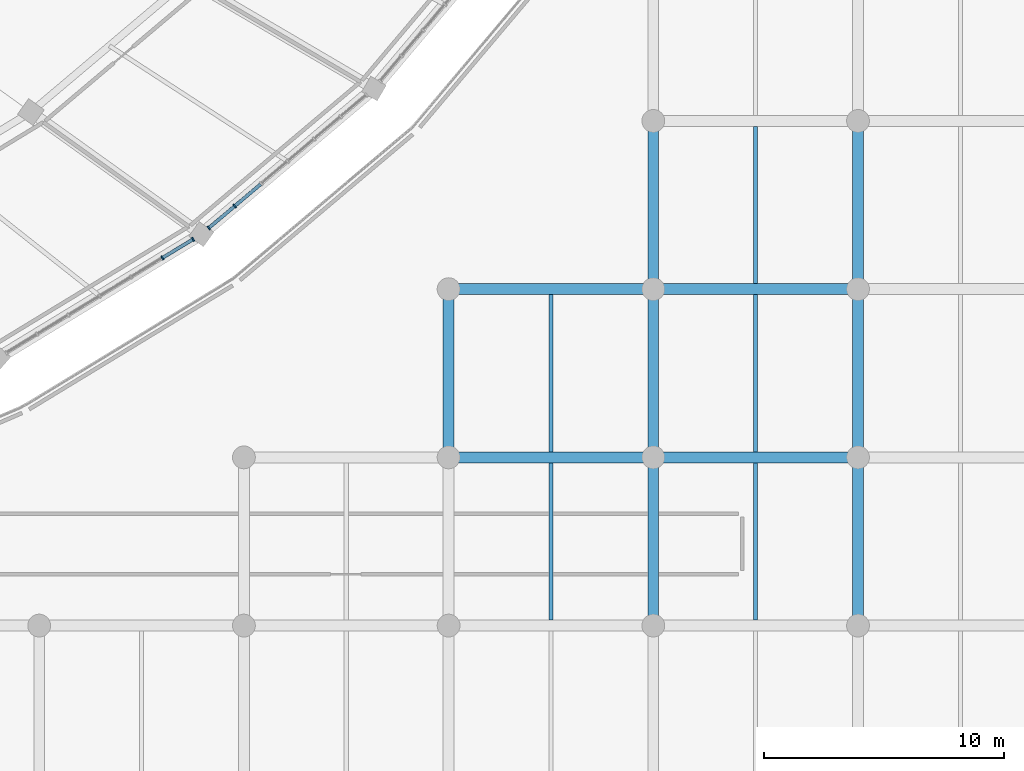
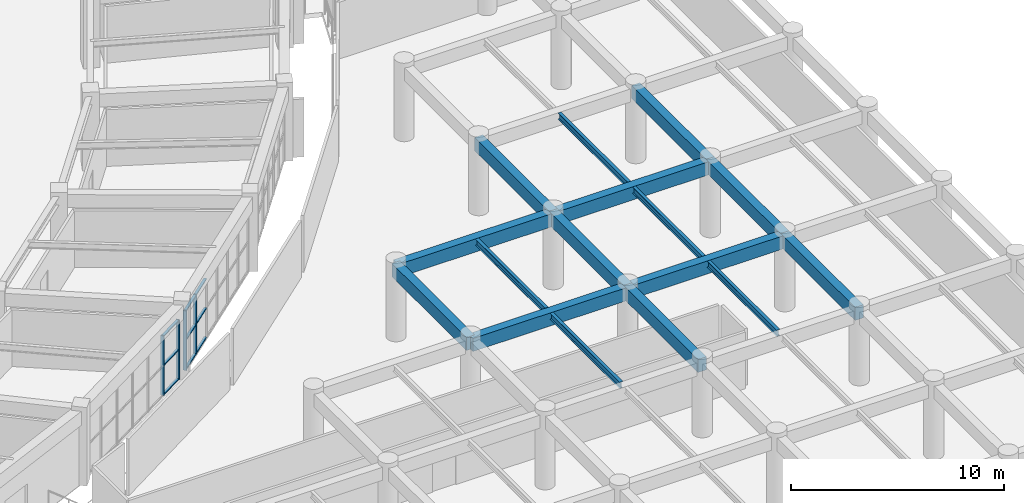
# One storey, part 38 of 141: 16 beams, 13 members, 2 elements without a shape of their own.
"""IFC4 building model written with IfcOpenShell, lengths in metres."""

from ifc_helpers import new_model, si_unit, direction, frame, origin, origin_2d, place, context, subcontext, project, spatial, rectangle, i_section, extrude, material, layer, layer_set, material_profile, profile_set, type_object, element, aggregate, save


model = new_model("IFC4")

# Units and contexts
model_context = context("Model", 3, precision=1e-05, world=origin(), true_north=direction((0.0, 1.0)))
body_context = subcontext(model_context, "Body", "Model", "MODEL_VIEW")
ifc_project = project(units=[si_unit("LENGTHUNIT", "METRE"), si_unit("AREAUNIT", "SQUARE_METRE"), si_unit("VOLUMEUNIT", "CUBIC_METRE"), si_unit("PLANEANGLEUNIT", "RADIAN"), si_unit("MASSUNIT", "GRAM", prefix="KILO")], contexts=[model_context])

# Site, building, storey
site_placement = place(None, origin())
site = spatial("IfcSite", under=ifc_project, at=site_placement, CompositionType="ELEMENT")
building_placement = place(site_placement, origin())
building = spatial("IfcBuilding", under=site, at=building_placement, Name="Mphavela Belvedere Stadium", CompositionType="ELEMENT")
storey_placement = place(building_placement, frame((0.0, 0.0, 14.699951171875)))
storey = spatial("IfcBuildingStorey", under=building, at=storey_placement, Name="L03", CompositionType="ELEMENT", Elevation=14.699951171875)

# Beams
ifc_material_1 = material(Name="Steel S355", Category="steel")
ifc_material_profile_1 = material_profile(ifc_material_1, i_section(OverallWidth=0.169921875, OverallDepth=0.360107421875, WebThickness=0.008056640625, FlangeThickness=0.0126953125, at=origin_2d()), Name="IPE 360")
ifc_profile_set_1 = profile_set([ifc_material_profile_1], Name="Steel S355")
beam_type_1 = type_object("IfcBeamType", Name="BM-JOIST-IPE360", PredefinedType="JOIST", material=ifc_profile_set_1)
for number, where, z_axis, x_axis, name in (
    (1, (208.70361328125, 14.22509765625, 4.06005859375), (0.0, 1.0, 0.0), (-1.0, 0.0, 0.0), "South Axial Triumphal Peristyle Portico secondary joist L03 25-3"),
    (2, (208.70361328125, 21.22509765625, 4.06005859375), (0.0, 1.0, 0.0), (-1.0, 0.0, 0.0), "South Axial Triumphal Peristyle Portico secondary joist L03 25-4"),
    (3, (217.221923828125, 14.22509765625, 4.06005859375), (0.0, 1.0, 0.0), (-1.0, 0.0, 0.0), "South Axial Triumphal Peristyle Portico secondary joist L03 26-3"),
    (4, (217.221923828125, 21.22509765625, 4.06005859375), (0.0, 1.0, 0.0), (-1.0, 0.0, 0.0), "South Axial Triumphal Peristyle Portico secondary joist L03 26-4"),
    (5, (217.221923828125, 28.22509765625, 4.06005859375), (0.0, 1.0, 0.0), (-1.0, 0.0, 0.0), "South Axial Triumphal Peristyle Portico secondary joist L03 26-5"),
):
    element("IfcBeam", number, at=place(storey_placement, frame(where, z_axis=z_axis, x_axis=x_axis)), inside=storey, type_object=beam_type_1, Name=name, PredefinedType="JOIST", context=body_context, shape_type="SweptSolid", body=[
        extrude(i_section(OverallWidth=0.169921875, OverallDepth=0.360107421875, WebThickness=0.008056640625, FlangeThickness=0.0126953125, at=origin_2d()), origin(), (0.0, 0.0, 1.0), 6.5498046875),
    ])
ifc_material_2 = material(Name="Concrete C40/50", Category="concrete")
ifc_material_profile_2 = material_profile(ifc_material_2, rectangle(XDim=0.449951171875, YDim=0.75, at=origin_2d()), Name="RC 450x750")
ifc_profile_set_2 = profile_set([ifc_material_profile_2], Name="Concrete C40/50")
beam_type_2 = type_object("IfcBeamType", Name="BM-RC450x750", PredefinedType="BEAM", material=ifc_profile_set_2)
beam_1_placement = place(storey_placement, frame((204.444091796875, 21.0, 3.864990234375), z_axis=(1.0, 0.0, 0.0), x_axis=(0.0, 1.0, 0.0)))
element("IfcBeam", 6, at=beam_1_placement, inside=storey, type_object=beam_type_2, Name="South Axial Triumphal Peristyle Portico entablature beam X L03 25-4", PredefinedType="BEAM", context=body_context, shape_type="SweptSolid", body=[
    extrude(rectangle(XDim=0.449951171875, YDim=0.75, at=origin_2d()), origin(), (0.0, 0.0, 1.0), 8.518798828125),
])
beam_2_placement = place(storey_placement, frame((204.444091796875, 21.0, 3.864990234375), z_axis=(0.0, 1.0, 0.0), x_axis=(-1.0, 0.0, 0.0)))
element("IfcBeam", 7, at=beam_2_placement, inside=storey, type_object=beam_type_2, Name="South Axial Triumphal Peristyle Portico entablature beam Y L03 25-4", PredefinedType="BEAM", context=body_context, shape_type="SweptSolid", body=[
    extrude(rectangle(XDim=0.449951171875, YDim=0.75, at=origin_2d()), origin(), (0.0, 0.0, 1.0), 7.0),
])
beam_3_placement = place(storey_placement, frame((204.444091796875, 28.0, 3.864990234375), z_axis=(1.0, 0.0, 0.0), x_axis=(0.0, 1.0, 0.0)))
element("IfcBeam", 8, at=beam_3_placement, inside=storey, type_object=beam_type_2, Name="South Axial Triumphal Peristyle Portico entablature beam X L03 25-5", PredefinedType="BEAM", context=body_context, shape_type="SweptSolid", body=[
    extrude(rectangle(XDim=0.449951171875, YDim=0.75, at=origin_2d()), origin(), (0.0, 0.0, 1.0), 8.518798828125),
])
beam_4_placement = place(storey_placement, frame((212.962890625, 14.0, 3.864990234375), z_axis=(0.0, 1.0, 0.0), x_axis=(-1.0, 0.0, 0.0)))
element("IfcBeam", 9, at=beam_4_placement, inside=storey, type_object=beam_type_2, Name="South Axial Triumphal Peristyle Portico entablature beam Y L03 26-3", PredefinedType="BEAM", context=body_context, shape_type="SweptSolid", body=[
    extrude(rectangle(XDim=0.449951171875, YDim=0.75, at=origin_2d()), origin(), (0.0, 0.0, 1.0), 7.0),
])
beam_5_placement = place(storey_placement, frame((212.962890625, 21.0, 3.864990234375), z_axis=(1.0, 0.0, 0.0), x_axis=(0.0, 1.0, 0.0)))
element("IfcBeam", 10, at=beam_5_placement, inside=storey, type_object=beam_type_2, Name="South Axial Triumphal Peristyle Portico entablature beam X L03 26-4", PredefinedType="BEAM", context=body_context, shape_type="SweptSolid", body=[
    extrude(rectangle(XDim=0.449951171875, YDim=0.75, at=origin_2d()), origin(), (0.0, 0.0, 1.0), 8.51806640625),
])
beam_6_placement = place(storey_placement, frame((212.962890625, 21.0, 3.864990234375), z_axis=(0.0, 1.0, 0.0), x_axis=(-1.0, 0.0, 0.0)))
element("IfcBeam", 11, at=beam_6_placement, inside=storey, type_object=beam_type_2, Name="South Axial Triumphal Peristyle Portico entablature beam Y L03 26-4", PredefinedType="BEAM", context=body_context, shape_type="SweptSolid", body=[
    extrude(rectangle(XDim=0.449951171875, YDim=0.75, at=origin_2d()), origin(), (0.0, 0.0, 1.0), 7.0),
])
beam_7_placement = place(storey_placement, frame((212.962890625, 28.0, 3.864990234375), z_axis=(1.0, 0.0, 0.0), x_axis=(0.0, 1.0, 0.0)))
element("IfcBeam", 12, at=beam_7_placement, inside=storey, type_object=beam_type_2, Name="South Axial Triumphal Peristyle Portico entablature beam X L03 26-5", PredefinedType="BEAM", context=body_context, shape_type="SweptSolid", body=[
    extrude(rectangle(XDim=0.449951171875, YDim=0.75, at=origin_2d()), origin(), (0.0, 0.0, 1.0), 8.51806640625),
])
for number, where, z_axis, x_axis, name in (
    (13, (212.962890625, 28.0, 3.864990234375), (0.0, 1.0, 0.0), (-1.0, 0.0, 0.0), "South Axial Triumphal Peristyle Portico entablature beam Y L03 26-5"),
    (14, (221.48095703125, 14.0, 3.864990234375), (0.0, 1.0, 0.0), (-1.0, 0.0, 0.0), "South Axial Triumphal Peristyle Portico entablature beam Y L03 27-3"),
    (15, (221.48095703125, 21.0, 3.864990234375), (0.0, 1.0, 0.0), (-1.0, 0.0, 0.0), "South Axial Triumphal Peristyle Portico entablature beam Y L03 27-4"),
    (16, (221.48095703125, 28.0, 3.864990234375), (0.0, 1.0, 0.0), (-1.0, 0.0, 0.0), "South Axial Triumphal Peristyle Portico entablature beam Y L03 27-5"),
):
    element("IfcBeam", number, at=place(storey_placement, frame(where, z_axis=z_axis, x_axis=x_axis)), inside=storey, type_object=beam_type_2, Name=name, PredefinedType="BEAM", context=body_context, shape_type="SweptSolid", body=[
        extrude(rectangle(XDim=0.449951171875, YDim=0.75, at=origin_2d()), origin(), (0.0, 0.0, 1.0), 7.0),
    ])

# Curtain wall, members
ifc_material_3 = material(Name="Anodised bronze unitised curtain wall framing")
ifc_layer_1 = layer(ifc_material_3, 0.199951171875)
ifc_layer_set_1 = layer_set([ifc_layer_1], Name="Anodised bronze unitised curtain wall framing")
curtain_wall_type_1 = type_object("IfcCurtainWallType", Name="CW-UNIT-05", PredefinedType="USERDEFINED", material=ifc_layer_set_1)
curtain_wall_1_placement = place(storey_placement, origin())
curtain_wall_1 = element("IfcCurtainWall", 17, at=curtain_wall_1_placement, inside=storey, type_object=curtain_wall_type_1, Name="Belvedere colonnade curtain wall L03-42", ObjectType="UNITISED CURTAIN WALL", PredefinedType="USERDEFINED")
ifc_material_4 = material(Name="Anodised bronze extruded aluminium", Category="aluminium")
ifc_material_profile_3 = material_profile(ifc_material_4, rectangle(XDim=0.179931640625, YDim=0.06494140625, at=origin_2d()), Name="CW-MUL 180x65")
ifc_profile_set_3 = profile_set([ifc_material_profile_3], Name="Anodised bronze extruded aluminium")
member_type_1 = type_object("IfcMemberType", Name="CWM-180x65", PredefinedType="MULLION", material=ifc_profile_set_3)
member_1_placement = place(storey_placement, frame((192.533203125, 29.298583984375, 0.0), z_axis=(0.0, 0.0, 1.0), x_axis=(-0.519738342169, 0.8543254975, 0.0)))
member_1 = element("IfcMember", 18, at=member_1_placement, type_object=member_type_1, Name="CW-05 mullion 6", PredefinedType="MULLION", context=body_context, shape_type="SweptSolid", body=[
    extrude(rectangle(XDim=0.179931640625, YDim=0.06494140625, at=origin_2d()), origin(), (0.0, 0.0, 1.0), 3.420166015625),
])
member_2_placement = place(storey_placement, frame((193.80908203125, 30.07470703125, 0.0), z_axis=(0.0, 0.0, 1.0), x_axis=(-0.519738342169, 0.8543254975, 0.0)))
member_2 = element("IfcMember", 19, at=member_2_placement, type_object=member_type_1, Name="CW-05 mullion 7", PredefinedType="MULLION", context=body_context, shape_type="SweptSolid", body=[
    extrude(rectangle(XDim=0.179931640625, YDim=0.06494140625, at=origin_2d()), origin(), (0.0, 0.0, 1.0), 3.420166015625),
])

ifc_material_5 = material(Name="Anodised bronze unitised curtain wall framing")
ifc_layer_2 = layer(ifc_material_5, 0.205078125)
ifc_layer_set_2 = layer_set([ifc_layer_2], Name="Anodised bronze unitised curtain wall framing")
curtain_wall_type_2 = type_object("IfcCurtainWallType", Name="CW-UNIT-06", PredefinedType="USERDEFINED", material=ifc_layer_set_2)
curtain_wall_2_placement = place(storey_placement, origin())
curtain_wall_2 = element("IfcCurtainWall", 20, at=curtain_wall_2_placement, inside=storey, type_object=curtain_wall_type_2, Name="Belvedere colonnade curtain wall L03-43", ObjectType="UNITISED CURTAIN WALL", PredefinedType="USERDEFINED")
member_3_placement = place(storey_placement, frame((194.465576171875, 30.547119140625, 0.0), z_axis=(0.0, 0.0, 1.0), x_axis=(-0.644904906656, 0.764262822183, 0.0)))
member_3 = element("IfcMember", 21, at=member_3_placement, type_object=member_type_1, Name="CW-06 mullion 1", PredefinedType="MULLION", context=body_context, shape_type="SweptSolid", body=[
    extrude(rectangle(XDim=0.179931640625, YDim=0.06494140625, at=origin_2d()), origin(), (0.0, 0.0, 1.0), 3.420166015625),
])
member_4_placement = place(storey_placement, frame((195.542724609375, 31.4560546875, 0.0), z_axis=(0.0, 0.0, 1.0), x_axis=(-0.644904906656, 0.764262822183, 0.0)))
member_4 = element("IfcMember", 22, at=member_4_placement, type_object=member_type_1, Name="CW-06 mullion 2", PredefinedType="MULLION", context=body_context, shape_type="SweptSolid", body=[
    extrude(rectangle(XDim=0.179931640625, YDim=0.06494140625, at=origin_2d()), origin(), (0.0, 0.0, 1.0), 3.420166015625),
])

# Member
ifc_material_6 = material(Name="Anodised bronze extruded aluminium", Category="aluminium")
ifc_material_profile_4 = material_profile(ifc_material_6, rectangle(XDim=0.139892578125, YDim=0.06005859375, at=origin_2d()), Name="CW-TRN 140x60")
ifc_profile_set_4 = profile_set([ifc_material_profile_4], Name="Anodised bronze extruded aluminium")
member_type_2 = type_object("IfcMemberType", Name="CWT-140x60", PredefinedType="USERDEFINED", material=ifc_profile_set_4)
member_5_placement = place(storey_placement, frame((192.56103515625, 29.3154296875, 0.030029296875), z_axis=(0.854294260385, 0.51978968504, 0.0), x_axis=(-0.51978968504, 0.854294260385, 0.0)))
member_5 = element("IfcMember", 23, at=member_5_placement, type_object=member_type_2, Name="CW-05 transom 6.1", ObjectType="TRANSOM", PredefinedType="USERDEFINED", context=body_context, shape_type="SweptSolid", body=[
    extrude(rectangle(XDim=0.139892578125, YDim=0.06005859375, at=origin_2d()), origin(), (0.0, 0.0, 1.0), 1.42822265625),
])

member_6_placement = place(storey_placement, frame((192.56103515625, 29.3154296875, 1.7099609375), z_axis=(0.854294260385, 0.51978968504, 0.0), x_axis=(-0.51978968504, 0.854294260385, 0.0)))
member_6 = element("IfcMember", 24, at=member_6_placement, type_object=member_type_2, Name="CW-05 transom 6.2", ObjectType="TRANSOM", PredefinedType="USERDEFINED", context=body_context, shape_type="SweptSolid", body=[
    extrude(rectangle(XDim=0.139892578125, YDim=0.06005859375, at=origin_2d()), origin(), (0.0, 0.0, 1.0), 1.42822265625),
])

member_7_placement = place(storey_placement, frame((192.56103515625, 29.3154296875, 3.39013671875), z_axis=(0.854294260385, 0.51978968504, 0.0), x_axis=(-0.51978968504, 0.854294260385, 0.0)))
member_7 = element("IfcMember", 25, at=member_7_placement, type_object=member_type_2, Name="CW-05 transom 6.3", ObjectType="TRANSOM", PredefinedType="USERDEFINED", context=body_context, shape_type="SweptSolid", body=[
    extrude(rectangle(XDim=0.139892578125, YDim=0.06005859375, at=origin_2d()), origin(), (0.0, 0.0, 1.0), 1.42822265625),
])

aggregate(curtain_wall_1, [member_1, member_2, member_5, member_6, member_7])

member_8_placement = place(storey_placement, frame((194.490478515625, 30.568115234375, 0.030029296875), z_axis=(0.764322248714, 0.644834474978, 0.0), x_axis=(-0.644834474978, 0.764322248714, 0.0)))
member_8 = element("IfcMember", 26, at=member_8_placement, type_object=member_type_2, Name="CW-06 transom 1.1", ObjectType="TRANSOM", PredefinedType="USERDEFINED", context=body_context, shape_type="SweptSolid", body=[
    extrude(rectangle(XDim=0.139892578125, YDim=0.06005859375, at=origin_2d()), origin(), (0.0, 0.0, 1.0), 1.344482421875),
])

member_9_placement = place(storey_placement, frame((194.490478515625, 30.568115234375, 1.7099609375), z_axis=(0.764322248714, 0.644834474978, 0.0), x_axis=(-0.644834474978, 0.764322248714, 0.0)))
member_9 = element("IfcMember", 27, at=member_9_placement, type_object=member_type_2, Name="CW-06 transom 1.2", ObjectType="TRANSOM", PredefinedType="USERDEFINED", context=body_context, shape_type="SweptSolid", body=[
    extrude(rectangle(XDim=0.139892578125, YDim=0.06005859375, at=origin_2d()), origin(), (0.0, 0.0, 1.0), 1.344482421875),
])

member_10_placement = place(storey_placement, frame((194.490478515625, 30.568115234375, 3.39013671875), z_axis=(0.764322248714, 0.644834474978, 0.0), x_axis=(-0.644834474978, 0.764322248714, 0.0)))
member_10 = element("IfcMember", 28, at=member_10_placement, type_object=member_type_2, Name="CW-06 transom 1.3", ObjectType="TRANSOM", PredefinedType="USERDEFINED", context=body_context, shape_type="SweptSolid", body=[
    extrude(rectangle(XDim=0.139892578125, YDim=0.06005859375, at=origin_2d()), origin(), (0.0, 0.0, 1.0), 1.344482421875),
])

member_11_placement = place(storey_placement, frame((195.567626953125, 31.47705078125, 0.030029296875), z_axis=(0.764326982188, 0.644828864351, 0.0), x_axis=(-0.644828864351, 0.764326982188, 0.0)))
member_11 = element("IfcMember", 29, at=member_11_placement, type_object=member_type_2, Name="CW-06 transom 2.1", ObjectType="TRANSOM", PredefinedType="USERDEFINED", context=body_context, shape_type="SweptSolid", body=[
    extrude(rectangle(XDim=0.139892578125, YDim=0.06005859375, at=origin_2d()), origin(), (0.0, 0.0, 1.0), 1.376953125),
])

member_12_placement = place(storey_placement, frame((195.567626953125, 31.47705078125, 1.7099609375), z_axis=(0.764326982188, 0.644828864351, 0.0), x_axis=(-0.644828864351, 0.764326982188, 0.0)))
member_12 = element("IfcMember", 30, at=member_12_placement, type_object=member_type_2, Name="CW-06 transom 2.2", ObjectType="TRANSOM", PredefinedType="USERDEFINED", context=body_context, shape_type="SweptSolid", body=[
    extrude(rectangle(XDim=0.139892578125, YDim=0.06005859375, at=origin_2d()), origin(), (0.0, 0.0, 1.0), 1.376953125),
])

member_13_placement = place(storey_placement, frame((195.567626953125, 31.47705078125, 3.39013671875), z_axis=(0.764326982188, 0.644828864351, 0.0), x_axis=(-0.644828864351, 0.764326982188, 0.0)))
member_13 = element("IfcMember", 31, at=member_13_placement, type_object=member_type_2, Name="CW-06 transom 2.3", ObjectType="TRANSOM", PredefinedType="USERDEFINED", context=body_context, shape_type="SweptSolid", body=[
    extrude(rectangle(XDim=0.139892578125, YDim=0.06005859375, at=origin_2d()), origin(), (0.0, 0.0, 1.0), 1.376953125),
])

aggregate(curtain_wall_2, [member_3, member_4, member_8, member_9, member_10, member_11, member_12, member_13])

save(model, "model.ifc")
